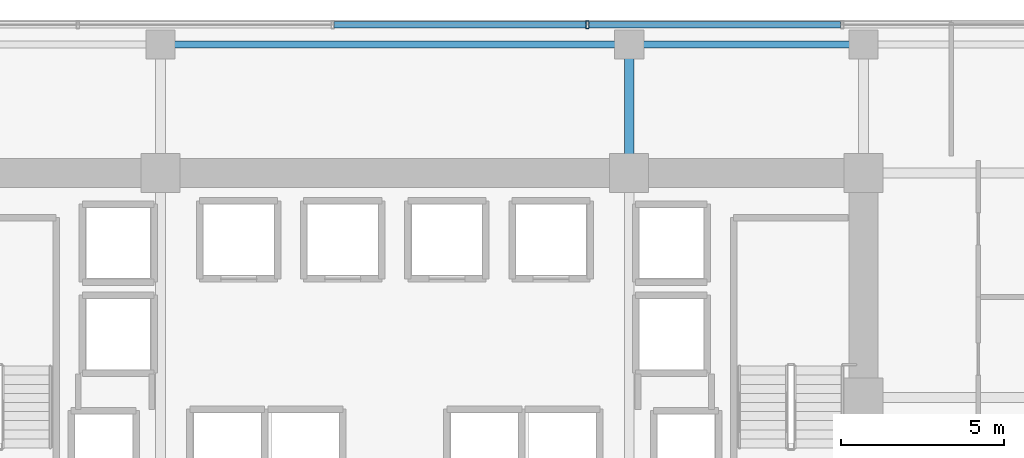
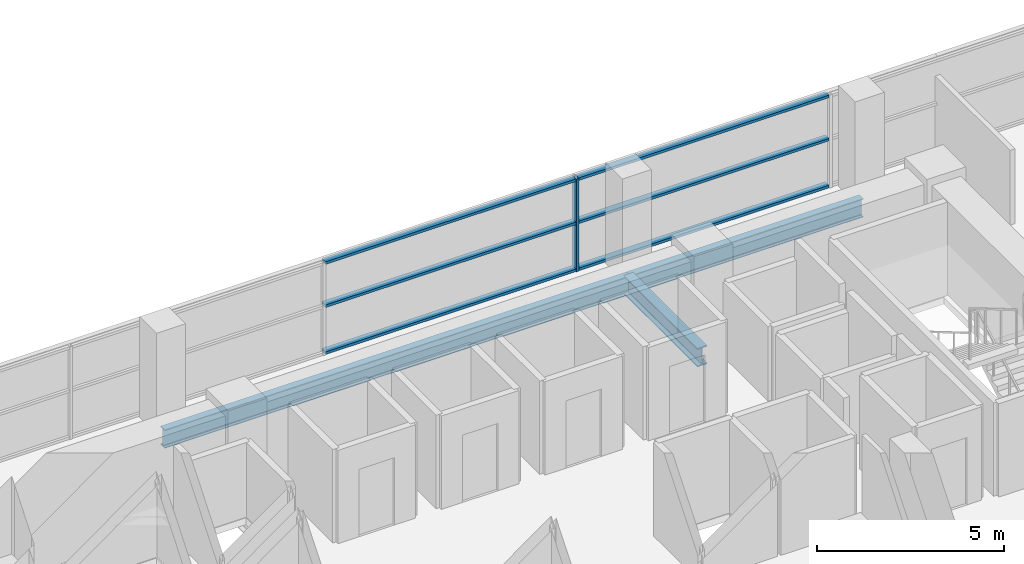
# One storey, part 15 of 27: 7 members, 3 beams, 1 element without a shape of its own.
"""IFC4 building model written with IfcOpenShell, lengths in metres."""

from ifc_helpers import new_model, si_unit, direction, frame, origin, origin_2d, place, context, subcontext, project, spatial, hollow_rectangle, i_section, extrude, source, transform, mapped, material, layer, layer_set, material_profile, profile_set, type_object, element, aggregate, save


model = new_model("IFC4")

# Units and contexts
model_context = context("Model", 3, precision=1e-05, world=origin(), true_north=direction((0.0, 1.0)))
body_context = subcontext(model_context, "Body", "Model", "MODEL_VIEW")
ifc_project = project(units=[si_unit("LENGTHUNIT", "METRE"), si_unit("AREAUNIT", "SQUARE_METRE"), si_unit("VOLUMEUNIT", "CUBIC_METRE"), si_unit("PLANEANGLEUNIT", "RADIAN"), si_unit("MASSUNIT", "GRAM", prefix="KILO")], contexts=[model_context])

# Site, building, storey
site_placement = place(None, origin())
site = spatial("IfcSite", under=ifc_project, at=site_placement, CompositionType="ELEMENT")
building_placement = place(site_placement, origin())
building = spatial("IfcBuilding", under=site, at=building_placement, Name="Zarnakvel Exchange Tower", CompositionType="ELEMENT")
storey_placement = place(building_placement, frame((0.0, 0.0, 76.89990234375)))
storey = spatial("IfcBuildingStorey", under=building, at=storey_placement, Name="L21", CompositionType="ELEMENT", Elevation=76.89990234375)

# Beams
ifc_material_1 = material(Name="Steel S355", Category="steel")
ifc_material_profile_1 = material_profile(ifc_material_1, i_section(OverallWidth=0.300048828125, OverallDepth=0.60009765625, WebThickness=0.015380859375, FlangeThickness=0.030029296875, FilletRadius=0.027099609375, at=origin_2d()))
ifc_profile_set_1 = profile_set([ifc_material_profile_1], Name="Steel S355")
beam_type_1 = type_object("IfcBeamType", Name="G-04", PredefinedType="BEAM", material=ifc_profile_set_1)
beam_1_placement = place(storey_placement, frame((7.199951171875, 13.5, -0.52490234375), z_axis=(0.0, 1.0, 0.0), x_axis=(-1.0, 0.0, 0.0)))
element("IfcBeam", 1, at=beam_1_placement, inside=storey, type_object=beam_type_1, Name="L21 Tower N-S Frame Beam", PredefinedType="BEAM", context=body_context, shape_type="SweptSolid", body=[
    extrude(i_section(OverallWidth=0.300048828125, OverallDepth=0.60009765625, WebThickness=0.015380859375, FlangeThickness=0.030029296875, FilletRadius=0.027099609375, at=origin_2d()), origin(), (0.0, 0.0, 1.0), 3.949951171875),
])
ifc_material_profile_2 = material_profile(ifc_material_1, i_section(OverallWidth=0.219970703125, OverallDepth=0.60009765625, WebThickness=0.011962890625, FlangeThickness=0.01904296875, FilletRadius=0.02392578125, at=origin_2d()))
ifc_profile_set_2 = profile_set([ifc_material_profile_2], Name="Steel S355")
beam_type_2 = type_object("IfcBeamType", Name="SP-01", PredefinedType="SPANDREL", material=ifc_profile_set_2)
beam_2_placement = place(storey_placement, frame((-7.199951171875, 17.449951171875, -0.52490234375), z_axis=(1.0, 0.0, 0.0), x_axis=(0.0, 1.0, 0.0)))
element("IfcBeam", 2, at=beam_2_placement, inside=storey, type_object=beam_type_2, Name="L21 Tower E-W Frame Beam", PredefinedType="SPANDREL", context=body_context, shape_type="SweptSolid", body=[
    extrude(i_section(OverallWidth=0.219970703125, OverallDepth=0.60009765625, WebThickness=0.011962890625, FlangeThickness=0.01904296875, FilletRadius=0.02392578125, at=origin_2d()), origin(), (0.0, 0.0, 1.0), 14.39990234375),
])
beam_3_placement = place(storey_placement, frame((7.199951171875, 17.449951171875, -0.52490234375), z_axis=(1.0, 0.0, 0.0), x_axis=(0.0, 1.0, 0.0)))
element("IfcBeam", 3, at=beam_3_placement, inside=storey, type_object=beam_type_2, Name="L21 Tower E-W Frame Beam", PredefinedType="SPANDREL", context=body_context, shape_type="SweptSolid", body=[
    extrude(i_section(OverallWidth=0.219970703125, OverallDepth=0.60009765625, WebThickness=0.011962890625, FlangeThickness=0.01904296875, FilletRadius=0.02392578125, at=origin_2d()), origin(), (0.0, 0.0, 1.0), 7.199951171875),
])

# Curtain wall, members
ifc_material_2 = material(Name="Architectural Bronze Anodised Aluminium", Category="aluminium")
ifc_layer = layer(ifc_material_2, 0.239990234375)
ifc_layer_set = layer_set([ifc_layer], Name="Architectural Bronze Anodised Aluminium")
curtain_wall_type = type_object("IfcCurtainWallType", Name="CW-02", PredefinedType="NOTDEFINED", material=ifc_layer_set)
curtain_wall_placement = place(storey_placement, origin())
curtain_wall = element("IfcCurtainWall", 4, at=curtain_wall_placement, inside=storey, type_object=curtain_wall_type, Name="L21 Curtain Wall CW-L21-N1 (CW-02)", PredefinedType="NOTDEFINED")
ifc_material_profile_3 = material_profile(ifc_material_2, hollow_rectangle(XDim=0.199951171875, YDim=0.0849609375, WallThickness=0.0048828125, at=origin_2d()))
ifc_profile_set_3 = profile_set([ifc_material_profile_3], Name="Architectural Bronze Anodised Aluminium")
member_type_1 = type_object("IfcMemberType", Name="CWT-02", PredefinedType="USERDEFINED", material=ifc_profile_set_3)
shared_shape_1 = source(origin(), body_context, "Body", "SweptSolid", [
    extrude(hollow_rectangle(XDim=0.199951171875, YDim=0.0849609375, WallThickness=0.0048828125, at=origin_2d()), origin(), (0.0, 0.0, 1.0), 7.738525390625),
])
member_1_placement = place(storey_placement, frame((5.959228515625, 18.06005859375, 0.04248046875), z_axis=(1.0, 0.0, 0.0), x_axis=(0.0, 1.0, 0.0)))
member_1 = element("IfcMember", 5, at=member_1_placement, type_object=member_type_1, Name="CW-02 transom 5.1", ObjectType="TRANSOM", PredefinedType="USERDEFINED", context=body_context, shape_type="MappedRepresentation", body=[
    mapped(shared_shape_1, transform((0.0, 0.0, 0.0), x_axis=(1.0, 0.0, 0.0), y_axis=(0.0, 1.0, 0.0), z_axis=(0.0, 0.0, 1.0), scale=1.0)),
])
member_2_placement = place(storey_placement, frame((5.959228515625, 18.06005859375, 1.57568359375), z_axis=(1.0, 0.0, 0.0), x_axis=(0.0, 1.0, 0.0)))
member_2 = element("IfcMember", 6, at=member_2_placement, type_object=member_type_1, Name="CW-02 transom 5.2", ObjectType="TRANSOM", PredefinedType="USERDEFINED", context=body_context, shape_type="MappedRepresentation", body=[
    mapped(shared_shape_1, transform((0.0, 0.0, 0.0), x_axis=(1.0, 0.0, 0.0), y_axis=(0.0, 1.0, 0.0), z_axis=(0.0, 0.0, 1.0), scale=1.0)),
])
member_3_placement = place(storey_placement, frame((5.959228515625, 18.06005859375, 2.987548828125), z_axis=(1.0, 0.0, 0.0), x_axis=(0.0, 1.0, 0.0)))
member_3 = element("IfcMember", 7, at=member_3_placement, type_object=member_type_1, Name="CW-02 transom 5.3", ObjectType="TRANSOM", PredefinedType="USERDEFINED", context=body_context, shape_type="MappedRepresentation", body=[
    mapped(shared_shape_1, transform((0.0, 0.0, 0.0), x_axis=(1.0, 0.0, 0.0), y_axis=(0.0, 1.0, 0.0), z_axis=(0.0, 0.0, 1.0), scale=1.0)),
])
shared_shape_2 = source(origin(), body_context, "Body", "SweptSolid", [
    extrude(hollow_rectangle(XDim=0.199951171875, YDim=0.0849609375, WallThickness=0.0048828125, at=origin_2d()), origin(), (0.0, 0.0, 1.0), 7.73876953125),
])
member_4_placement = place(storey_placement, frame((-1.869384765625, 18.06005859375, 0.04248046875), z_axis=(1.0, 0.0, 0.0), x_axis=(0.0, 1.0, 0.0)))
member_4 = element("IfcMember", 8, at=member_4_placement, type_object=member_type_1, Name="CW-02 transom 4.1", ObjectType="TRANSOM", PredefinedType="USERDEFINED", context=body_context, shape_type="MappedRepresentation", body=[
    mapped(shared_shape_2, transform((0.0, 0.0, 0.0), x_axis=(1.0, 0.0, 0.0), y_axis=(0.0, 1.0, 0.0), z_axis=(0.0, 0.0, 1.0), scale=1.0)),
])
member_5_placement = place(storey_placement, frame((-1.869384765625, 18.06005859375, 1.57568359375), z_axis=(1.0, 0.0, 0.0), x_axis=(0.0, 1.0, 0.0)))
member_5 = element("IfcMember", 9, at=member_5_placement, type_object=member_type_1, Name="CW-02 transom 4.2", ObjectType="TRANSOM", PredefinedType="USERDEFINED", context=body_context, shape_type="MappedRepresentation", body=[
    mapped(shared_shape_2, transform((0.0, 0.0, 0.0), x_axis=(1.0, 0.0, 0.0), y_axis=(0.0, 1.0, 0.0), z_axis=(0.0, 0.0, 1.0), scale=1.0)),
])
member_6_placement = place(storey_placement, frame((-1.869384765625, 18.06005859375, 2.987548828125), z_axis=(1.0, 0.0, 0.0), x_axis=(0.0, 1.0, 0.0)))
member_6 = element("IfcMember", 10, at=member_6_placement, type_object=member_type_1, Name="CW-02 transom 4.3", ObjectType="TRANSOM", PredefinedType="USERDEFINED", context=body_context, shape_type="MappedRepresentation", body=[
    mapped(shared_shape_2, transform((0.0, 0.0, 0.0), x_axis=(1.0, 0.0, 0.0), y_axis=(0.0, 1.0, 0.0), z_axis=(0.0, 0.0, 1.0), scale=1.0)),
])
ifc_material_profile_4 = material_profile(ifc_material_2, hollow_rectangle(XDim=0.239990234375, YDim=0.090087890625, WallThickness=0.006103515625, at=origin_2d()))
ifc_profile_set_4 = profile_set([ifc_material_profile_4], Name="Architectural Bronze Anodised Aluminium")
member_type_2 = type_object("IfcMemberType", Name="CWM-02", PredefinedType="MULLION", material=ifc_profile_set_4)
shared_shape_3 = source(origin(), body_context, "Body", "SweptSolid", [
    extrude(hollow_rectangle(XDim=0.239990234375, YDim=0.090087890625, WallThickness=0.006103515625, at=origin_2d()), origin(), (0.0, 0.0, 1.0), 3.030029296875),
])
member_7_placement = place(storey_placement, frame((5.914306640625, 18.06005859375, 0.0), z_axis=(0.0, 0.0, 1.0), x_axis=(0.0, 1.0, 0.0)))
member_7 = element("IfcMember", 11, at=member_7_placement, type_object=member_type_2, Name="CW-02 mullion 5", PredefinedType="MULLION", context=body_context, shape_type="MappedRepresentation", body=[
    mapped(shared_shape_3, transform((0.0, 0.0, 0.0), x_axis=(1.0, 0.0, 0.0), y_axis=(0.0, 1.0, 0.0), z_axis=(0.0, 0.0, 1.0), scale=1.0)),
])
aggregate(curtain_wall, [member_7, member_4, member_5, member_6, member_1, member_2, member_3])

save(model, "model.ifc")
